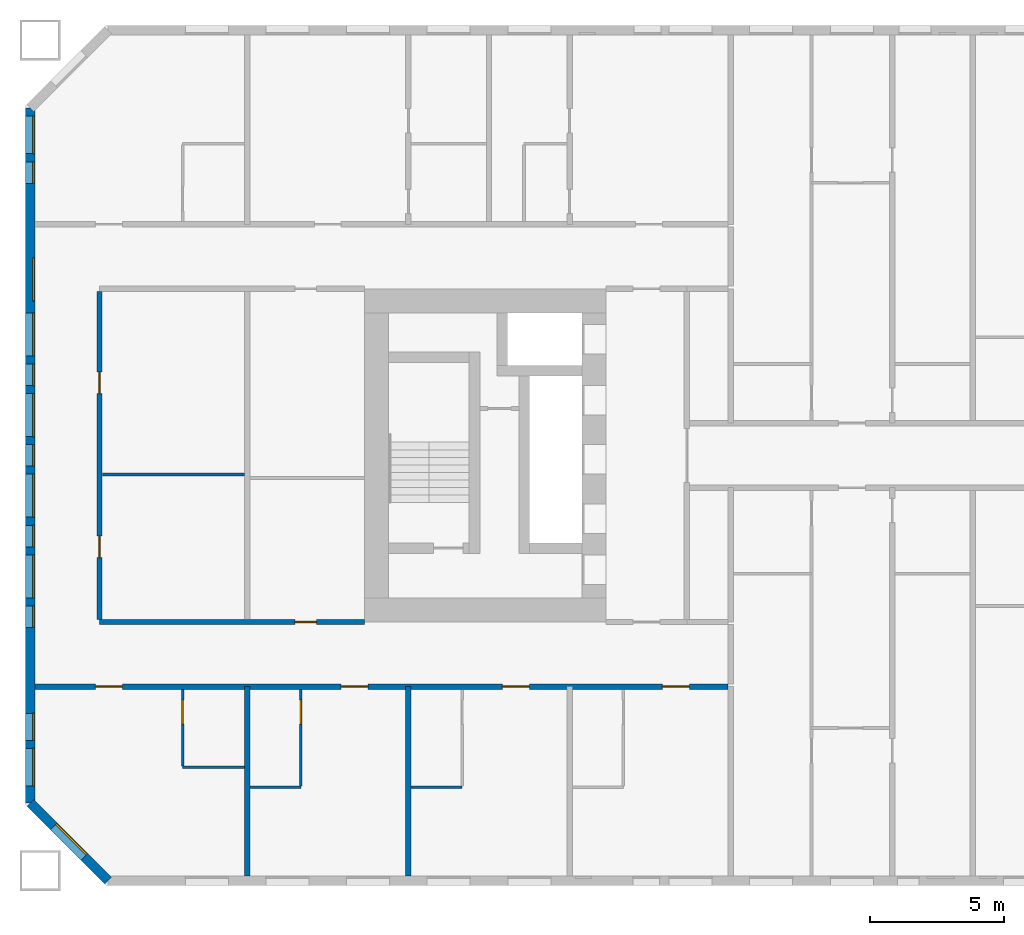
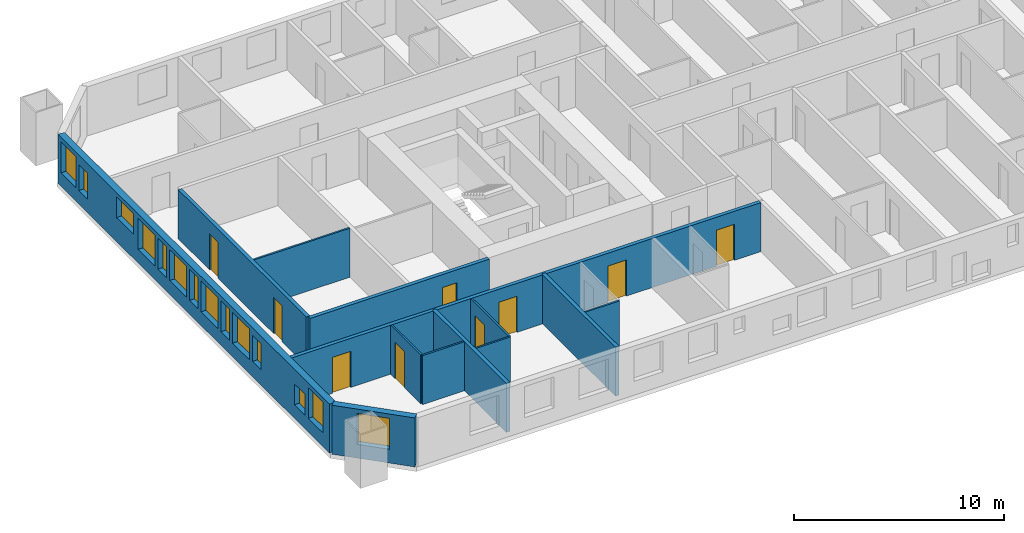
# One storey, part 2 of 18: 14 windows, 13 walls, 9 doors, 23 openings.
"""IFC4 building model written with IfcOpenShell, lengths in metres."""

from ifc_helpers import new_model, si_unit, direction, frame, frame_2d, origin, place, context, subcontext, project, spatial, rectangle, extrude, material, layer, layer_set, type_object, element, fill, save


model = new_model("IFC4")

# Units and contexts
model_context = context("Model", 3, precision=1e-05, world=origin(), true_north=direction((0.0, 1.0)))
body_context = subcontext(model_context, "Body", "Model", "MODEL_VIEW")
ifc_project = project(units=[si_unit("LENGTHUNIT", "METRE"), si_unit("AREAUNIT", "SQUARE_METRE"), si_unit("VOLUMEUNIT", "CUBIC_METRE"), si_unit("PLANEANGLEUNIT", "RADIAN"), si_unit("MASSUNIT", "GRAM", prefix="KILO")], contexts=[model_context])

# Site, building, storey
site_placement = place(None, origin())
site = spatial("IfcSite", under=ifc_project, at=site_placement, CompositionType="ELEMENT")
building_placement = place(site_placement, origin())
building = spatial("IfcBuilding", under=site, at=building_placement, Name="Tuart Gate Housing", CompositionType="ELEMENT")
storey_placement = place(building_placement, frame((0.0, 0.0, 31.89990234375)))
storey = spatial("IfcBuildingStorey", under=building, at=storey_placement, Name="L08", CompositionType="ELEMENT", Elevation=31.89990234375)

# Wall, opening, window
ifc_material_1 = material(Name="Brick", Category="masonry")
ifc_layer_1 = layer(ifc_material_1, 0.360107421875)
ifc_layer_set_1 = layer_set([ifc_layer_1], Name="Brick pier and spandrel wall 360")
wall_type_1 = type_object("IfcWallType", Name="Brick pier and spandrel wall 360", PredefinedType="STANDARD", material=ifc_layer_set_1)
wall_1_placement = place(storey_placement, frame((19.929931640625, 57.07470703125, 0.0), z_axis=(0.0, 0.0, 1.0), x_axis=(0.707106781187, -0.707106781187, 0.0)))
wall_1 = element("IfcWall", 1, at=wall_1_placement, inside=storey, type_object=wall_type_1, Name="External wall A-SW L08", PredefinedType="STANDARD", context=body_context, shape_type="SweptSolid", body=[
    extrude(rectangle(XDim=4.09375, YDim=0.360107421875, at=frame_2d((2.046875, 0.0))), origin(), (0.0, 0.0, 1.0), 2.85009765625),
])
opening_1_placement = place(wall_1_placement, frame((1.2470703125, 0.0, 0.800048828125)))
opening_1 = element("IfcOpeningElement", 2, at=opening_1_placement, cuts=wall_1, Name="Opening W1", PredefinedType="OPENING", context=body_context, shape_type="SweptSolid", body=[
    extrude(rectangle(XDim=1.60009765625, YDim=1.800048828125, at=frame_2d((0.800048828125, 0.89990234375))), frame((0.0, 0.18994140625, 0.0), z_axis=(0.0, -1.0, 0.0), x_axis=(1.0, 0.0, 0.0)), (0.0, 0.0, 1.0), 0.380126953125),
])
ifc_material_2 = material(Name="Aluminium frame with clear glass", Category="aluminium")
window_type_1 = type_object("IfcWindowType", Name="Punched window 1600 x 1800", PartitioningType="SINGLE_PANEL", PredefinedType="WINDOW", material=ifc_material_2)
window_1_placement = place(opening_1_placement, origin())
window_1 = element("IfcWindow", 3, at=window_1_placement, inside=storey, type_object=window_type_1, Name="Window W1", OverallHeight=1.800048828125, OverallWidth=1.60009765625, PartitioningType="SINGLE_PANEL", PredefinedType="WINDOW", context=body_context, shape_type="SweptSolid", body=[
    extrude(rectangle(XDim=1.60009765625, YDim=1.800048828125, at=frame_2d((0.800048828125, 0.89990234375))), frame((0.0, 0.150146484375, 0.0), z_axis=(0.0, -1.0, 0.0), x_axis=(1.0, 0.0, 0.0)), (0.0, 0.0, 1.0), 0.06005859375),
])
fill(opening_1, window_1)

# Wall, openings, windows
wall_2_placement = place(storey_placement, frame((19.929931640625, 82.92529296875, 0.0), z_axis=(0.0, 0.0, 1.0), x_axis=(0.0, -1.0, 0.0)))
wall_2 = element("IfcWall", 4, at=wall_2_placement, inside=storey, type_object=wall_type_1, Name="External wall A-W L08", PredefinedType="STANDARD", context=body_context, shape_type="SweptSolid", body=[
    extrude(rectangle(XDim=25.850830078125, YDim=0.360107421875, at=frame_2d((12.92529296875, 0.0))), origin(), (0.0, 0.0, 1.0), 2.85009765625),
])
opening_2_placement = place(wall_2_placement, frame((0.300048828125, 0.0, 0.800048828125)))
opening_2 = element("IfcOpeningElement", 5, at=opening_2_placement, cuts=wall_2, Name="Opening W1A", PredefinedType="OPENING", context=body_context, shape_type="SweptSolid", body=[
    extrude(rectangle(XDim=1.39990234375, YDim=1.800048828125, at=frame_2d((0.699951171875, 0.89990234375))), frame((0.0, 0.18994140625, 0.0), z_axis=(0.0, -1.0, 0.0), x_axis=(1.0, 0.0, 0.0)), (0.0, 0.0, 1.0), 0.380126953125),
])
opening_3_placement = place(wall_2_placement, frame((5.575439453125, 0.0, 1.39990234375)))
opening_3 = element("IfcOpeningElement", 6, at=opening_3_placement, cuts=wall_2, Name="Opening W1L", PredefinedType="OPENING", context=body_context, shape_type="SweptSolid", body=[
    extrude(rectangle(XDim=1.60009765625, YDim=1.199951171875, at=frame_2d((0.800048828125, 0.60009765625))), frame((0.0, 0.18994140625, 0.0), z_axis=(0.0, -1.0, 0.0), x_axis=(1.0, 0.0, 0.0)), (0.0, 0.0, 1.0), 0.380126953125),
])
opening_4_placement = place(wall_2_placement, frame((7.62548828125, 0.0, 0.800048828125)))
opening_4 = element("IfcOpeningElement", 7, at=opening_4_placement, cuts=wall_2, Name="Opening W1", PredefinedType="OPENING", context=body_context, shape_type="SweptSolid", body=[
    extrude(rectangle(XDim=1.60009765625, YDim=1.800048828125, at=frame_2d((0.800048828125, 0.89990234375))), frame((0.0, 0.18994140625, 0.0), z_axis=(0.0, -1.0, 0.0), x_axis=(1.0, 0.0, 0.0)), (0.0, 0.0, 1.0), 0.380126953125),
])
opening_5_placement = place(wall_2_placement, frame((10.62548828125, 0.0, 0.800048828125)))
opening_5 = element("IfcOpeningElement", 8, at=opening_5_placement, cuts=wall_2, Name="Opening W1", PredefinedType="OPENING", context=body_context, shape_type="SweptSolid", body=[
    extrude(rectangle(XDim=1.60009765625, YDim=1.800048828125, at=frame_2d((0.800048828125, 0.89990234375))), frame((0.0, 0.18994140625, 0.0), z_axis=(0.0, -1.0, 0.0), x_axis=(1.0, 0.0, 0.0)), (0.0, 0.0, 1.0), 0.380126953125),
])
opening_6_placement = place(wall_2_placement, frame((13.62548828125, 0.0, 0.800048828125)))
opening_6 = element("IfcOpeningElement", 9, at=opening_6_placement, cuts=wall_2, Name="Opening W1", PredefinedType="OPENING", context=body_context, shape_type="SweptSolid", body=[
    extrude(rectangle(XDim=1.60009765625, YDim=1.800048828125, at=frame_2d((0.800048828125, 0.89990234375))), frame((0.0, 0.18994140625, 0.0), z_axis=(0.0, -1.0, 0.0), x_axis=(1.0, 0.0, 0.0)), (0.0, 0.0, 1.0), 0.380126953125),
])
opening_7_placement = place(wall_2_placement, frame((16.62548828125, 0.0, 0.800048828125)))
opening_7 = element("IfcOpeningElement", 10, at=opening_7_placement, cuts=wall_2, Name="Opening W1", PredefinedType="OPENING", context=body_context, shape_type="SweptSolid", body=[
    extrude(rectangle(XDim=1.60009765625, YDim=1.800048828125, at=frame_2d((0.800048828125, 0.89990234375))), frame((0.0, 0.18994140625, 0.0), z_axis=(0.0, -1.0, 0.0), x_axis=(1.0, 0.0, 0.0)), (0.0, 0.0, 1.0), 0.380126953125),
])
opening_8_placement = place(wall_2_placement, frame((9.525390625, 0.0, 0.800048828125)))
opening_8 = element("IfcOpeningElement", 11, at=opening_8_placement, cuts=wall_2, Name="Opening W1D", PredefinedType="OPENING", context=body_context, shape_type="SweptSolid", body=[
    extrude(rectangle(XDim=0.800048828125, YDim=1.800048828125, at=frame_2d((0.39990234375, 0.89990234375))), frame((0.0, 0.18994140625, 0.0), z_axis=(0.0, -1.0, 0.0), x_axis=(1.0, 0.0, 0.0)), (0.0, 0.0, 1.0), 0.380126953125),
])
opening_9_placement = place(wall_2_placement, frame((22.525390625, 0.0, 0.800048828125)))
opening_9 = element("IfcOpeningElement", 12, at=opening_9_placement, cuts=wall_2, Name="Opening W1O", PredefinedType="OPENING", context=body_context, shape_type="SweptSolid", body=[
    extrude(rectangle(XDim=1.0, YDim=1.199951171875, at=frame_2d((0.5, 0.60009765625))), frame((0.0, 0.18994140625, 0.0), z_axis=(0.0, -1.0, 0.0), x_axis=(1.0, 0.0, 0.0)), (0.0, 0.0, 1.0), 0.380126953125),
])
opening_10_placement = place(wall_2_placement, frame((2.0, 0.0, 0.800048828125)))
opening_10 = element("IfcOpeningElement", 13, at=opening_10_placement, cuts=wall_2, Name="Opening W1J", PredefinedType="OPENING", context=body_context, shape_type="SweptSolid", body=[
    extrude(rectangle(XDim=0.800048828125, YDim=1.5, at=frame_2d((0.39990234375, 0.75))), frame((0.0, 0.18994140625, 0.0), z_axis=(0.0, -1.0, 0.0), x_axis=(1.0, 0.0, 0.0)), (0.0, 0.0, 1.0), 0.380126953125),
])
opening_11_placement = place(wall_2_placement, frame((12.525390625, 0.0, 0.800048828125)))
opening_11 = element("IfcOpeningElement", 14, at=opening_11_placement, cuts=wall_2, Name="Opening W1D", PredefinedType="OPENING", context=body_context, shape_type="SweptSolid", body=[
    extrude(rectangle(XDim=0.800048828125, YDim=1.800048828125, at=frame_2d((0.39990234375, 0.89990234375))), frame((0.0, 0.18994140625, 0.0), z_axis=(0.0, -1.0, 0.0), x_axis=(1.0, 0.0, 0.0)), (0.0, 0.0, 1.0), 0.380126953125),
])
opening_12_placement = place(wall_2_placement, frame((15.525390625, 0.0, 0.800048828125)))
opening_12 = element("IfcOpeningElement", 15, at=opening_12_placement, cuts=wall_2, Name="Opening W1D", PredefinedType="OPENING", context=body_context, shape_type="SweptSolid", body=[
    extrude(rectangle(XDim=0.800048828125, YDim=1.800048828125, at=frame_2d((0.39990234375, 0.89990234375))), frame((0.0, 0.18994140625, 0.0), z_axis=(0.0, -1.0, 0.0), x_axis=(1.0, 0.0, 0.0)), (0.0, 0.0, 1.0), 0.380126953125),
])
opening_13_placement = place(wall_2_placement, frame((18.525390625, 0.0, 0.89990234375)))
opening_13 = element("IfcOpeningElement", 16, at=opening_13_placement, cuts=wall_2, Name="Opening W1J", PredefinedType="OPENING", context=body_context, shape_type="SweptSolid", body=[
    extrude(rectangle(XDim=0.800048828125, YDim=1.5, at=frame_2d((0.39990234375, 0.75))), frame((0.0, 0.18994140625, 0.0), z_axis=(0.0, -1.0, 0.0), x_axis=(1.0, 0.0, 0.0)), (0.0, 0.0, 1.0), 0.380126953125),
])
opening_14_placement = place(wall_2_placement, frame((23.825439453125, 0.0, 0.800048828125)))
opening_14 = element("IfcOpeningElement", 17, at=opening_14_placement, cuts=wall_2, Name="Opening W1A", PredefinedType="OPENING", context=body_context, shape_type="SweptSolid", body=[
    extrude(rectangle(XDim=1.39990234375, YDim=1.800048828125, at=frame_2d((0.699951171875, 0.89990234375))), frame((0.0, 0.18994140625, 0.0), z_axis=(0.0, -1.0, 0.0), x_axis=(1.0, 0.0, 0.0)), (0.0, 0.0, 1.0), 0.380126953125),
])
ifc_material_3 = material(Name="Aluminium frame with clear glass", Category="aluminium")
window_type_2 = type_object("IfcWindowType", Name="Punched window 1000 x 1200", PartitioningType="SINGLE_PANEL", PredefinedType="WINDOW", material=ifc_material_3)
window_2_placement = place(opening_9_placement, origin())
window_2 = element("IfcWindow", 18, at=window_2_placement, inside=storey, type_object=window_type_2, Name="Window W1O", OverallHeight=1.199951171875, OverallWidth=1.0, PartitioningType="SINGLE_PANEL", PredefinedType="WINDOW", context=body_context, shape_type="SweptSolid", body=[
    extrude(rectangle(XDim=1.0, YDim=1.199951171875, at=frame_2d((0.5, 0.60009765625))), frame((0.0, 0.150146484375, 0.0), z_axis=(0.0, -1.0, 0.0), x_axis=(1.0, 0.0, 0.0)), (0.0, 0.0, 1.0), 0.06005859375),
])
fill(opening_9, window_2)
ifc_material_4 = material(Name="Aluminium frame with clear glass", Category="aluminium")
window_type_3 = type_object("IfcWindowType", Name="Punched window 1400 x 1800", PartitioningType="SINGLE_PANEL", PredefinedType="WINDOW", material=ifc_material_4)
window_3_placement = place(opening_2_placement, origin())
window_3 = element("IfcWindow", 19, at=window_3_placement, inside=storey, type_object=window_type_3, Name="Window W1A", OverallHeight=1.800048828125, OverallWidth=1.39990234375, PartitioningType="SINGLE_PANEL", PredefinedType="WINDOW", context=body_context, shape_type="SweptSolid", body=[
    extrude(rectangle(XDim=1.39990234375, YDim=1.800048828125, at=frame_2d((0.699951171875, 0.89990234375))), frame((0.0, 0.150146484375, 0.0), z_axis=(0.0, -1.0, 0.0), x_axis=(1.0, 0.0, 0.0)), (0.0, 0.0, 1.0), 0.06005859375),
])
fill(opening_2, window_3)
window_4_placement = place(opening_14_placement, origin())
window_4 = element("IfcWindow", 20, at=window_4_placement, inside=storey, type_object=window_type_3, Name="Window W1A", OverallHeight=1.800048828125, OverallWidth=1.39990234375, PartitioningType="SINGLE_PANEL", PredefinedType="WINDOW", context=body_context, shape_type="SweptSolid", body=[
    extrude(rectangle(XDim=1.39990234375, YDim=1.800048828125, at=frame_2d((0.699951171875, 0.89990234375))), frame((0.0, 0.150146484375, 0.0), z_axis=(0.0, -1.0, 0.0), x_axis=(1.0, 0.0, 0.0)), (0.0, 0.0, 1.0), 0.06005859375),
])
fill(opening_14, window_4)
ifc_material_5 = material(Name="Aluminium frame with clear glass", Category="aluminium")
window_type_4 = type_object("IfcWindowType", Name="Punched window 1600 x 1200", PartitioningType="SINGLE_PANEL", PredefinedType="WINDOW", material=ifc_material_5)
window_5_placement = place(opening_3_placement, origin())
window_5 = element("IfcWindow", 21, at=window_5_placement, inside=storey, type_object=window_type_4, Name="Window W1L", OverallHeight=1.199951171875, OverallWidth=1.60009765625, PartitioningType="SINGLE_PANEL", PredefinedType="WINDOW", context=body_context, shape_type="SweptSolid", body=[
    extrude(rectangle(XDim=1.60009765625, YDim=1.199951171875, at=frame_2d((0.800048828125, 0.60009765625))), frame((0.0, 0.150146484375, 0.0), z_axis=(0.0, -1.0, 0.0), x_axis=(1.0, 0.0, 0.0)), (0.0, 0.0, 1.0), 0.06005859375),
])
fill(opening_3, window_5)
window_6_placement = place(opening_4_placement, origin())
window_6 = element("IfcWindow", 22, at=window_6_placement, inside=storey, type_object=window_type_1, Name="Window W1", OverallHeight=1.800048828125, OverallWidth=1.60009765625, PartitioningType="SINGLE_PANEL", PredefinedType="WINDOW", context=body_context, shape_type="SweptSolid", body=[
    extrude(rectangle(XDim=1.60009765625, YDim=1.800048828125, at=frame_2d((0.800048828125, 0.89990234375))), frame((0.0, 0.150146484375, 0.0), z_axis=(0.0, -1.0, 0.0), x_axis=(1.0, 0.0, 0.0)), (0.0, 0.0, 1.0), 0.06005859375),
])
fill(opening_4, window_6)
window_7_placement = place(opening_5_placement, origin())
window_7 = element("IfcWindow", 23, at=window_7_placement, inside=storey, type_object=window_type_1, Name="Window W1", OverallHeight=1.800048828125, OverallWidth=1.60009765625, PartitioningType="SINGLE_PANEL", PredefinedType="WINDOW", context=body_context, shape_type="SweptSolid", body=[
    extrude(rectangle(XDim=1.60009765625, YDim=1.800048828125, at=frame_2d((0.800048828125, 0.89990234375))), frame((0.0, 0.150146484375, 0.0), z_axis=(0.0, -1.0, 0.0), x_axis=(1.0, 0.0, 0.0)), (0.0, 0.0, 1.0), 0.06005859375),
])
fill(opening_5, window_7)
window_8_placement = place(opening_6_placement, origin())
window_8 = element("IfcWindow", 24, at=window_8_placement, inside=storey, type_object=window_type_1, Name="Window W1", OverallHeight=1.800048828125, OverallWidth=1.60009765625, PartitioningType="SINGLE_PANEL", PredefinedType="WINDOW", context=body_context, shape_type="SweptSolid", body=[
    extrude(rectangle(XDim=1.60009765625, YDim=1.800048828125, at=frame_2d((0.800048828125, 0.89990234375))), frame((0.0, 0.150146484375, 0.0), z_axis=(0.0, -1.0, 0.0), x_axis=(1.0, 0.0, 0.0)), (0.0, 0.0, 1.0), 0.06005859375),
])
fill(opening_6, window_8)
window_9_placement = place(opening_7_placement, origin())
window_9 = element("IfcWindow", 25, at=window_9_placement, inside=storey, type_object=window_type_1, Name="Window W1", OverallHeight=1.800048828125, OverallWidth=1.60009765625, PartitioningType="SINGLE_PANEL", PredefinedType="WINDOW", context=body_context, shape_type="SweptSolid", body=[
    extrude(rectangle(XDim=1.60009765625, YDim=1.800048828125, at=frame_2d((0.800048828125, 0.89990234375))), frame((0.0, 0.150146484375, 0.0), z_axis=(0.0, -1.0, 0.0), x_axis=(1.0, 0.0, 0.0)), (0.0, 0.0, 1.0), 0.06005859375),
])
fill(opening_7, window_9)
ifc_material_6 = material(Name="Aluminium frame with clear glass", Category="aluminium")
window_type_5 = type_object("IfcWindowType", Name="Punched window 800 x 1500", PartitioningType="SINGLE_PANEL", PredefinedType="WINDOW", material=ifc_material_6)
window_10_placement = place(opening_10_placement, origin())
window_10 = element("IfcWindow", 26, at=window_10_placement, inside=storey, type_object=window_type_5, Name="Window W1J", OverallHeight=1.5, OverallWidth=0.800048828125, PartitioningType="SINGLE_PANEL", PredefinedType="WINDOW", context=body_context, shape_type="SweptSolid", body=[
    extrude(rectangle(XDim=0.800048828125, YDim=1.5, at=frame_2d((0.39990234375, 0.75))), frame((0.0, 0.150146484375, 0.0), z_axis=(0.0, -1.0, 0.0), x_axis=(1.0, 0.0, 0.0)), (0.0, 0.0, 1.0), 0.06005859375),
])
fill(opening_10, window_10)
window_11_placement = place(opening_13_placement, origin())
window_11 = element("IfcWindow", 27, at=window_11_placement, inside=storey, type_object=window_type_5, Name="Window W1J", OverallHeight=1.5, OverallWidth=0.800048828125, PartitioningType="SINGLE_PANEL", PredefinedType="WINDOW", context=body_context, shape_type="SweptSolid", body=[
    extrude(rectangle(XDim=0.800048828125, YDim=1.5, at=frame_2d((0.39990234375, 0.75))), frame((0.0, 0.150146484375, 0.0), z_axis=(0.0, -1.0, 0.0), x_axis=(1.0, 0.0, 0.0)), (0.0, 0.0, 1.0), 0.06005859375),
])
fill(opening_13, window_11)
ifc_material_7 = material(Name="Aluminium frame with clear glass", Category="aluminium")
window_type_6 = type_object("IfcWindowType", Name="Punched window 800 x 1800", PartitioningType="SINGLE_PANEL", PredefinedType="WINDOW", material=ifc_material_7)
window_12_placement = place(opening_8_placement, origin())
window_12 = element("IfcWindow", 28, at=window_12_placement, inside=storey, type_object=window_type_6, Name="Window W1D", OverallHeight=1.800048828125, OverallWidth=0.800048828125, PartitioningType="SINGLE_PANEL", PredefinedType="WINDOW", context=body_context, shape_type="SweptSolid", body=[
    extrude(rectangle(XDim=0.800048828125, YDim=1.800048828125, at=frame_2d((0.39990234375, 0.89990234375))), frame((0.0, 0.150146484375, 0.0), z_axis=(0.0, -1.0, 0.0), x_axis=(1.0, 0.0, 0.0)), (0.0, 0.0, 1.0), 0.06005859375),
])
fill(opening_8, window_12)
window_13_placement = place(opening_11_placement, origin())
window_13 = element("IfcWindow", 29, at=window_13_placement, inside=storey, type_object=window_type_6, Name="Window W1D", OverallHeight=1.800048828125, OverallWidth=0.800048828125, PartitioningType="SINGLE_PANEL", PredefinedType="WINDOW", context=body_context, shape_type="SweptSolid", body=[
    extrude(rectangle(XDim=0.800048828125, YDim=1.800048828125, at=frame_2d((0.39990234375, 0.89990234375))), frame((0.0, 0.150146484375, 0.0), z_axis=(0.0, -1.0, 0.0), x_axis=(1.0, 0.0, 0.0)), (0.0, 0.0, 1.0), 0.06005859375),
])
fill(opening_11, window_13)
window_14_placement = place(opening_12_placement, origin())
window_14 = element("IfcWindow", 30, at=window_14_placement, inside=storey, type_object=window_type_6, Name="Window W1D", OverallHeight=1.800048828125, OverallWidth=0.800048828125, PartitioningType="SINGLE_PANEL", PredefinedType="WINDOW", context=body_context, shape_type="SweptSolid", body=[
    extrude(rectangle(XDim=0.800048828125, YDim=1.800048828125, at=frame_2d((0.39990234375, 0.89990234375))), frame((0.0, 0.150146484375, 0.0), z_axis=(0.0, -1.0, 0.0), x_axis=(1.0, 0.0, 0.0)), (0.0, 0.0, 1.0), 0.06005859375),
])
fill(opening_12, window_14)

# Wall, openings, doors
ifc_material_8 = material(Name="Concrete masonry 15 MPa", Category="masonry")
ifc_layer_2 = layer(ifc_material_8, 0.199951171875)
ifc_layer_set_2 = layer_set([ifc_layer_2], Name="Corridor wall masonry 200")
wall_type_2 = type_object("IfcWallType", Name="Corridor wall masonry 200", PredefinedType="PARTITIONING", material=ifc_layer_set_2)
wall_3_placement = place(storey_placement, frame((20.110107421875, 61.39990234375, 0.0), z_axis=(0.0, 0.0, 1.0), x_axis=(1.0, 0.0, 0.0)))
wall_3 = element("IfcWall", 31, at=wall_3_placement, inside=storey, type_object=wall_type_2, Name="Corridor wall masonry 200", PredefinedType="PARTITIONING", context=body_context, shape_type="SweptSolid", body=[
    extrude(rectangle(XDim=25.789794921875, YDim=0.199951171875, at=frame_2d((12.89501953125, 0.0))), origin(), (0.0, 0.0, 1.0), 2.85009765625),
])
opening_15_placement = place(wall_3_placement, frame((23.340087890625, 0.0, 0.0)))
opening_15 = element("IfcOpeningElement", 32, at=opening_15_placement, cuts=wall_3, Name="Opening D518", PredefinedType="OPENING", context=body_context, shape_type="SweptSolid", body=[
    extrude(rectangle(XDim=1.0, YDim=2.10009765625, at=frame_2d((0.5, 1.050048828125))), frame((0.0, 0.10986328125, 0.0), z_axis=(0.0, -1.0, 0.0), x_axis=(1.0, 0.0, 0.0)), (0.0, 0.0, 1.0), 0.219970703125),
])
opening_16_placement = place(wall_3_placement, frame((17.389892578125, 0.0, 0.0)))
opening_16 = element("IfcOpeningElement", 33, at=opening_16_placement, cuts=wall_3, Name="Opening D519", PredefinedType="OPENING", context=body_context, shape_type="SweptSolid", body=[
    extrude(rectangle(XDim=1.0, YDim=2.10009765625, at=frame_2d((0.5, 1.050048828125))), frame((0.0, 0.10986328125, 0.0), z_axis=(0.0, -1.0, 0.0), x_axis=(1.0, 0.0, 0.0)), (0.0, 0.0, 1.0), 0.219970703125),
])
opening_17_placement = place(wall_3_placement, frame((11.389892578125, 0.0, 0.0)))
opening_17 = element("IfcOpeningElement", 34, at=opening_17_placement, cuts=wall_3, Name="Opening D520", PredefinedType="OPENING", context=body_context, shape_type="SweptSolid", body=[
    extrude(rectangle(XDim=1.0, YDim=2.10009765625, at=frame_2d((0.5, 1.050048828125))), frame((0.0, 0.10986328125, 0.0), z_axis=(0.0, -1.0, 0.0), x_axis=(1.0, 0.0, 0.0)), (0.0, 0.0, 1.0), 0.219970703125),
])
opening_18_placement = place(wall_3_placement, frame((2.2451171875, 0.0, 0.0)))
opening_18 = element("IfcOpeningElement", 35, at=opening_18_placement, cuts=wall_3, Name="Opening D521", PredefinedType="OPENING", context=body_context, shape_type="SweptSolid", body=[
    extrude(rectangle(XDim=1.0, YDim=2.10009765625, at=frame_2d((0.5, 1.050048828125))), frame((0.0, 0.10986328125, 0.0), z_axis=(0.0, -1.0, 0.0), x_axis=(1.0, 0.0, 0.0)), (0.0, 0.0, 1.0), 0.219970703125),
])
ifc_material_9 = material(Name="Timber door leaf in steel frame", Category="steel")
door_type_1 = type_object("IfcDoorType", Name="Flat entrance door 1000 RH", OperationType="SINGLE_SWING_RIGHT", PredefinedType="DOOR", material=ifc_material_9)
door_1_placement = place(opening_15_placement, frame((1.0, 0.0, 0.0), z_axis=(0.0, 0.0, 1.0), x_axis=(-1.0, 0.0, 0.0)))
door_1 = element("IfcDoor", 36, at=door_1_placement, inside=storey, type_object=door_type_1, Name="Flat entrance door", OperationType="SINGLE_SWING_RIGHT", OverallHeight=2.10009765625, OverallWidth=1.0, PredefinedType="DOOR", context=body_context, shape_type="SweptSolid", body=[
    extrude(rectangle(XDim=1.0, YDim=2.10009765625, at=frame_2d((0.5, 1.050048828125))), frame((0.0, 0.025146484375, 0.0), z_axis=(0.0, -1.0, 0.0), x_axis=(1.0, 0.0, 0.0)), (0.0, 0.0, 1.0), 0.050048828125),
])
fill(opening_15, door_1)
door_2_placement = place(opening_16_placement, frame((1.0, 0.0, 0.0), z_axis=(0.0, 0.0, 1.0), x_axis=(-1.0, 0.0, 0.0)))
door_2 = element("IfcDoor", 37, at=door_2_placement, inside=storey, type_object=door_type_1, Name="Flat entrance door", OperationType="SINGLE_SWING_RIGHT", OverallHeight=2.10009765625, OverallWidth=1.0, PredefinedType="DOOR", context=body_context, shape_type="SweptSolid", body=[
    extrude(rectangle(XDim=1.0, YDim=2.10009765625, at=frame_2d((0.5, 1.050048828125))), frame((0.0, 0.025146484375, 0.0), z_axis=(0.0, -1.0, 0.0), x_axis=(1.0, 0.0, 0.0)), (0.0, 0.0, 1.0), 0.050048828125),
])
fill(opening_16, door_2)
door_3_placement = place(opening_17_placement, frame((1.0, 0.0, 0.0), z_axis=(0.0, 0.0, 1.0), x_axis=(-1.0, 0.0, 0.0)))
door_3 = element("IfcDoor", 38, at=door_3_placement, inside=storey, type_object=door_type_1, Name="Flat entrance door", OperationType="SINGLE_SWING_RIGHT", OverallHeight=2.10009765625, OverallWidth=1.0, PredefinedType="DOOR", context=body_context, shape_type="SweptSolid", body=[
    extrude(rectangle(XDim=1.0, YDim=2.10009765625, at=frame_2d((0.5, 1.050048828125))), frame((0.0, 0.025146484375, 0.0), z_axis=(0.0, -1.0, 0.0), x_axis=(1.0, 0.0, 0.0)), (0.0, 0.0, 1.0), 0.050048828125),
])
fill(opening_17, door_3)
door_4_placement = place(opening_18_placement, frame((1.0, 0.0, 0.0), z_axis=(0.0, 0.0, 1.0), x_axis=(-1.0, 0.0, 0.0)))
door_4 = element("IfcDoor", 39, at=door_4_placement, inside=storey, type_object=door_type_1, Name="Flat entrance door", OperationType="SINGLE_SWING_RIGHT", OverallHeight=2.10009765625, OverallWidth=1.0, PredefinedType="DOOR", context=body_context, shape_type="SweptSolid", body=[
    extrude(rectangle(XDim=1.0, YDim=2.10009765625, at=frame_2d((0.5, 1.050048828125))), frame((0.0, 0.025146484375, 0.0), z_axis=(0.0, -1.0, 0.0), x_axis=(1.0, 0.0, 0.0)), (0.0, 0.0, 1.0), 0.050048828125),
])
fill(opening_18, door_4)

# Wall, opening, door
wall_4_placement = place(storey_placement, frame((22.510009765625, 63.800048828125, 0.0), z_axis=(0.0, 0.0, 1.0), x_axis=(1.0, 0.0, 0.0)))
wall_4 = element("IfcWall", 40, at=wall_4_placement, inside=storey, type_object=wall_type_2, Name="Corridor wall masonry 200", PredefinedType="PARTITIONING", context=body_context, shape_type="SweptSolid", body=[
    extrude(rectangle(XDim=9.85009765625, YDim=0.199951171875, at=frame_2d((4.925048828125, 0.0))), origin(), (0.0, 0.0, 1.0), 2.85009765625),
])
opening_19_placement = place(wall_4_placement, frame((7.27001953125, 0.0, 0.0)))
opening_19 = element("IfcOpeningElement", 41, at=opening_19_placement, cuts=wall_4, Name="Opening D507", PredefinedType="OPENING", context=body_context, shape_type="SweptSolid", body=[
    extrude(rectangle(XDim=0.800048828125, YDim=2.10009765625, at=frame_2d((0.39990234375, 1.050048828125))), frame((0.0, 0.10986328125, 0.0), z_axis=(0.0, -1.0, 0.0), x_axis=(1.0, 0.0, 0.0)), (0.0, 0.0, 1.0), 0.219970703125),
])
ifc_material_10 = material(Name="Timber door leaf in steel frame", Category="steel")
door_type_2 = type_object("IfcDoorType", Name="Store door 800", OperationType="SINGLE_SWING_LEFT", PredefinedType="DOOR", material=ifc_material_10)
door_5_placement = place(opening_19_placement, origin())
door_5 = element("IfcDoor", 42, at=door_5_placement, inside=storey, type_object=door_type_2, Name="Store door", OperationType="SINGLE_SWING_LEFT", OverallHeight=2.10009765625, OverallWidth=0.800048828125, PredefinedType="DOOR", context=body_context, shape_type="SweptSolid", body=[
    extrude(rectangle(XDim=0.800048828125, YDim=2.10009765625, at=frame_2d((0.39990234375, 1.050048828125))), frame((0.0, 0.02490234375, 0.0), z_axis=(0.0, -1.0, 0.0), x_axis=(1.0, 0.0, 0.0)), (0.0, 0.0, 1.0), 0.050048828125),
])
fill(opening_19, door_5)

# Wall, openings, doors
wall_5_placement = place(storey_placement, frame((22.510009765625, 63.89990234375, 0.0), z_axis=(0.0, 0.0, 1.0), x_axis=(0.0, 1.0, 0.0)))
wall_5 = element("IfcWall", 43, at=wall_5_placement, inside=storey, type_object=wall_type_2, Name="Corridor wall masonry 200", PredefinedType="PARTITIONING", context=body_context, shape_type="SweptSolid", body=[
    extrude(rectangle(XDim=12.2001953125, YDim=0.199951171875, at=frame_2d((6.10009765625, 0.0))), origin(), (0.0, 0.0, 1.0), 2.85009765625),
])
opening_20_placement = place(wall_5_placement, frame((2.294921875, 0.0, 0.0)))
opening_20 = element("IfcOpeningElement", 44, at=opening_20_placement, cuts=wall_5, Name="Opening D496", PredefinedType="OPENING", context=body_context, shape_type="SweptSolid", body=[
    extrude(rectangle(XDim=0.800048828125, YDim=2.10009765625, at=frame_2d((0.39990234375, 1.050048828125))), frame((0.0, 0.10986328125, 0.0), z_axis=(0.0, -1.0, 0.0), x_axis=(1.0, 0.0, 0.0)), (0.0, 0.0, 1.0), 0.219970703125),
])
opening_21_placement = place(wall_5_placement, frame((8.39501953125, 0.0, 0.0)))
opening_21 = element("IfcOpeningElement", 45, at=opening_21_placement, cuts=wall_5, Name="Opening D497", PredefinedType="OPENING", context=body_context, shape_type="SweptSolid", body=[
    extrude(rectangle(XDim=0.800048828125, YDim=2.10009765625, at=frame_2d((0.39990234375, 1.050048828125))), frame((0.0, 0.10986328125, 0.0), z_axis=(0.0, -1.0, 0.0), x_axis=(1.0, 0.0, 0.0)), (0.0, 0.0, 1.0), 0.219970703125),
])
door_6_placement = place(opening_20_placement, frame((0.800048828125, 0.0, 0.0), z_axis=(0.0, 0.0, 1.0), x_axis=(-1.0, 0.0, 0.0)))
door_6 = element("IfcDoor", 46, at=door_6_placement, inside=storey, type_object=door_type_2, Name="Store door", OperationType="SINGLE_SWING_LEFT", OverallHeight=2.10009765625, OverallWidth=0.800048828125, PredefinedType="DOOR", context=body_context, shape_type="SweptSolid", body=[
    extrude(rectangle(XDim=0.800048828125, YDim=2.10009765625, at=frame_2d((0.400146484375, 1.050048828125))), frame((0.0, 0.025146484375, 0.0), z_axis=(0.0, -1.0, 0.0), x_axis=(1.0, 0.0, 0.0)), (0.0, 0.0, 1.0), 0.050048828125),
])
fill(opening_20, door_6)
ifc_material_11 = material(Name="Timber door leaf in steel frame", Category="steel")
door_type_3 = type_object("IfcDoorType", Name="Store door 800 RH", OperationType="SINGLE_SWING_RIGHT", PredefinedType="DOOR", material=ifc_material_11)
door_7_placement = place(opening_21_placement, frame((0.800048828125, 0.0, 0.0), z_axis=(0.0, 0.0, 1.0), x_axis=(-1.0, 0.0, 0.0)))
door_7 = element("IfcDoor", 47, at=door_7_placement, inside=storey, type_object=door_type_3, Name="Store door", OperationType="SINGLE_SWING_RIGHT", OverallHeight=2.10009765625, OverallWidth=0.800048828125, PredefinedType="DOOR", context=body_context, shape_type="SweptSolid", body=[
    extrude(rectangle(XDim=0.800048828125, YDim=2.10009765625, at=frame_2d((0.400146484375, 1.050048828125))), frame((0.0, 0.025146484375, 0.0), z_axis=(0.0, -1.0, 0.0), x_axis=(1.0, 0.0, 0.0)), (0.0, 0.0, 1.0), 0.050048828125),
])
fill(opening_21, door_7)

# Walls
ifc_material_12 = material(Name="Gypsum board on steel studs", Category="steel")
ifc_layer_3 = layer(ifc_material_12, 0.10009765625)
ifc_layer_set_3 = layer_set([ifc_layer_3], Name="Partition 100")
wall_type_3 = type_object("IfcWallType", Name="Partition 100", PredefinedType="PARTITIONING", material=ifc_layer_set_3)
for number, where, z_axis, x_axis, name in (
    (48, (28.10009765625, 57.64990234375, 0.0), (0.0, 0.0, 1.0), (1.0, 0.0, 0.0), "Partition 100"),
    (49, (34.10009765625, 57.64990234375, 0.0), (0.0, 0.0, 1.0), (1.0, 0.0, 0.0), "Partition 100"),
):
    element("IfcWall", number, at=place(storey_placement, frame(where, z_axis=z_axis, x_axis=x_axis)), inside=storey, type_object=wall_type_3, Name=name, PredefinedType="PARTITIONING", context=body_context, shape_type="SweptSolid", body=[
        extrude(rectangle(XDim=1.89990234375, YDim=0.10009765625, at=frame_2d((0.949951171875, 0.0))), origin(), (0.0, 0.0, 1.0), 2.85009765625),
    ])
wall_6_placement = place(storey_placement, frame((25.60009765625, 58.39990234375, 0.0), z_axis=(0.0, 0.0, 1.0), x_axis=(1.0, 0.0, 0.0)))
element("IfcWall", 50, at=wall_6_placement, inside=storey, type_object=wall_type_3, Name="Partition 100", PredefinedType="PARTITIONING", context=body_context, shape_type="SweptSolid", body=[
    extrude(rectangle(XDim=2.2998046875, YDim=0.10009765625, at=frame_2d((1.14990234375, 0.0))), origin(), (0.0, 0.0, 1.0), 2.85009765625),
])
wall_7_placement = place(storey_placement, frame((22.610107421875, 69.2900390625, 0.0), z_axis=(0.0, 0.0, 1.0), x_axis=(1.0, 0.0, 0.0)))
element("IfcWall", 51, at=wall_7_placement, inside=storey, type_object=wall_type_3, Name="Partition 100", PredefinedType="PARTITIONING", context=body_context, shape_type="SweptSolid", body=[
    extrude(rectangle(XDim=5.289794921875, YDim=0.10009765625, at=frame_2d((2.64501953125, 0.0))), origin(), (0.0, 0.0, 1.0), 2.85009765625),
])

# Wall, opening, door
wall_8_placement = place(storey_placement, frame((25.60009765625, 58.449951171875, 0.0), z_axis=(0.0, 0.0, 1.0), x_axis=(0.0, 1.0, 0.0)))
wall_8 = element("IfcWall", 52, at=wall_8_placement, inside=storey, type_object=wall_type_3, Name="Partition 100", PredefinedType="PARTITIONING", context=body_context, shape_type="SweptSolid", body=[
    extrude(rectangle(XDim=2.85009765625, YDim=0.10009765625, at=frame_2d((1.425048828125, 0.0))), origin(), (0.0, 0.0, 1.0), 2.85009765625),
])
opening_22_placement = place(wall_8_placement, frame((1.550048828125, 0.0, 0.0)))
opening_22 = element("IfcOpeningElement", 53, at=opening_22_placement, cuts=wall_8, Name="Opening D524", PredefinedType="OPENING", context=body_context, shape_type="SweptSolid", body=[
    extrude(rectangle(XDim=0.89990234375, YDim=2.10009765625, at=frame_2d((0.449951171875, 1.050048828125))), frame((0.0, 0.06005859375, 0.0), z_axis=(0.0, -1.0, 0.0), x_axis=(1.0, 0.0, 0.0)), (0.0, 0.0, 1.0), 0.1201171875),
])
ifc_material_13 = material(Name="Timber door leaf in steel frame", Category="steel")
door_type_4 = type_object("IfcDoorType", Name="Bathroom door 900", OperationType="SINGLE_SWING_LEFT", PredefinedType="DOOR", material=ifc_material_13)
door_8_placement = place(opening_22_placement, frame((0.89990234375, 0.0, 0.0), z_axis=(0.0, 0.0, 1.0), x_axis=(-1.0, 0.0, 0.0)))
door_8 = element("IfcDoor", 54, at=door_8_placement, inside=storey, type_object=door_type_4, Name="Bathroom door", OperationType="SINGLE_SWING_LEFT", OverallHeight=2.10009765625, OverallWidth=0.89990234375, PredefinedType="DOOR", context=body_context, shape_type="SweptSolid", body=[
    extrude(rectangle(XDim=0.89990234375, YDim=2.10009765625, at=frame_2d((0.449951171875, 1.050048828125))), frame((0.0, 0.025146484375, 0.0), z_axis=(0.0, -1.0, 0.0), x_axis=(1.0, 0.0, 0.0)), (0.0, 0.0, 1.0), 0.050048828125),
])
fill(opening_22, door_8)

wall_9_placement = place(storey_placement, frame((30.0, 57.699951171875, 0.0), z_axis=(0.0, 0.0, 1.0), x_axis=(0.0, 1.0, 0.0)))
wall_9 = element("IfcWall", 55, at=wall_9_placement, inside=storey, type_object=wall_type_3, Name="Partition 100", PredefinedType="PARTITIONING", context=body_context, shape_type="SweptSolid", body=[
    extrude(rectangle(XDim=3.60009765625, YDim=0.10009765625, at=frame_2d((1.800048828125, 0.0))), origin(), (0.0, 0.0, 1.0), 2.85009765625),
])
opening_23_placement = place(wall_9_placement, frame((2.300048828125, 0.0, 0.0)))
opening_23 = element("IfcOpeningElement", 56, at=opening_23_placement, cuts=wall_9, Name="Opening D527", PredefinedType="OPENING", context=body_context, shape_type="SweptSolid", body=[
    extrude(rectangle(XDim=0.89990234375, YDim=2.10009765625, at=frame_2d((0.449951171875, 1.050048828125))), frame((0.0, 0.06005859375, 0.0), z_axis=(0.0, -1.0, 0.0), x_axis=(1.0, 0.0, 0.0)), (0.0, 0.0, 1.0), 0.1201171875),
])
ifc_material_14 = material(Name="Timber door leaf in steel frame", Category="steel")
door_type_5 = type_object("IfcDoorType", Name="Bathroom door 900 RH", OperationType="SINGLE_SWING_RIGHT", PredefinedType="DOOR", material=ifc_material_14)
door_9_placement = place(opening_23_placement, origin())
door_9 = element("IfcDoor", 57, at=door_9_placement, inside=storey, type_object=door_type_5, Name="Bathroom door", OperationType="SINGLE_SWING_RIGHT", OverallHeight=2.10009765625, OverallWidth=0.89990234375, PredefinedType="DOOR", context=body_context, shape_type="SweptSolid", body=[
    extrude(rectangle(XDim=0.89990234375, YDim=2.10009765625, at=frame_2d((0.449951171875, 1.050048828125))), frame((0.0, 0.02490234375, 0.0), z_axis=(0.0, -1.0, 0.0), x_axis=(1.0, 0.0, 0.0)), (0.0, 0.0, 1.0), 0.050048828125),
])
fill(opening_23, door_9)

# Walls
ifc_material_15 = material(Name="Concrete C40", Category="concrete")
ifc_layer_4 = layer(ifc_material_15, 0.199951171875)
ifc_layer_set_4 = layer_set([ifc_layer_4], Name="Party wall concrete C40 200")
wall_type_4 = type_object("IfcWallType", Name="Party wall concrete C40 200", PredefinedType="SOLIDWALL", material=ifc_layer_set_4)
for number, where, z_axis, x_axis, name in (
    (58, (28.0, 54.360107421875, 0.0), (0.0, 0.0, 1.0), (0.0, 1.0, 0.0), "Party wall concrete C40 200"),
    (59, (34.0, 54.360107421875, 0.0), (0.0, 0.0, 1.0), (0.0, 1.0, 0.0), "Party wall concrete C40 200"),
):
    element("IfcWall", number, at=place(storey_placement, frame(where, z_axis=z_axis, x_axis=x_axis)), inside=storey, type_object=wall_type_4, Name=name, PredefinedType="SOLIDWALL", context=body_context, shape_type="SweptSolid", body=[
        extrude(rectangle(XDim=7.039794921875, YDim=0.199951171875, at=frame_2d((3.52001953125, 0.0))), origin(), (0.0, 0.0, 1.0), 2.85009765625),
    ])

save(model, "model.ifc")
